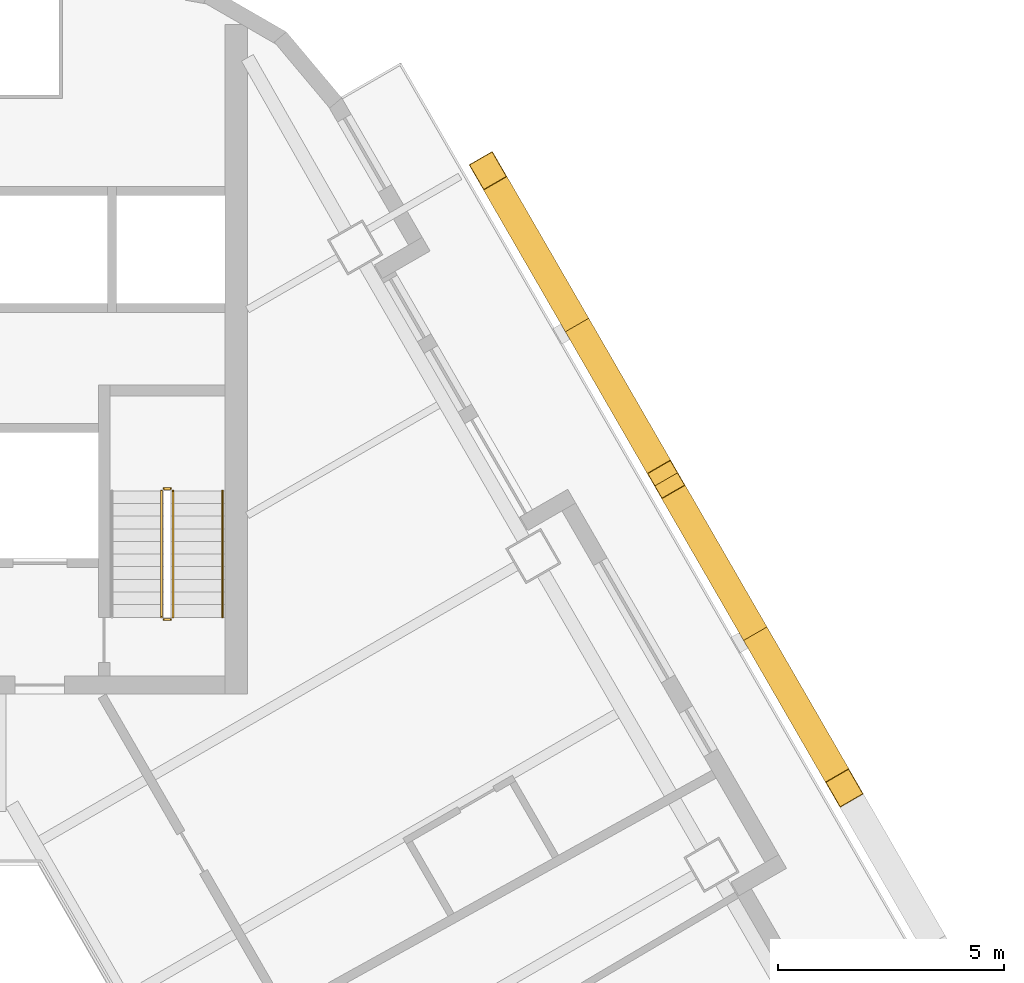
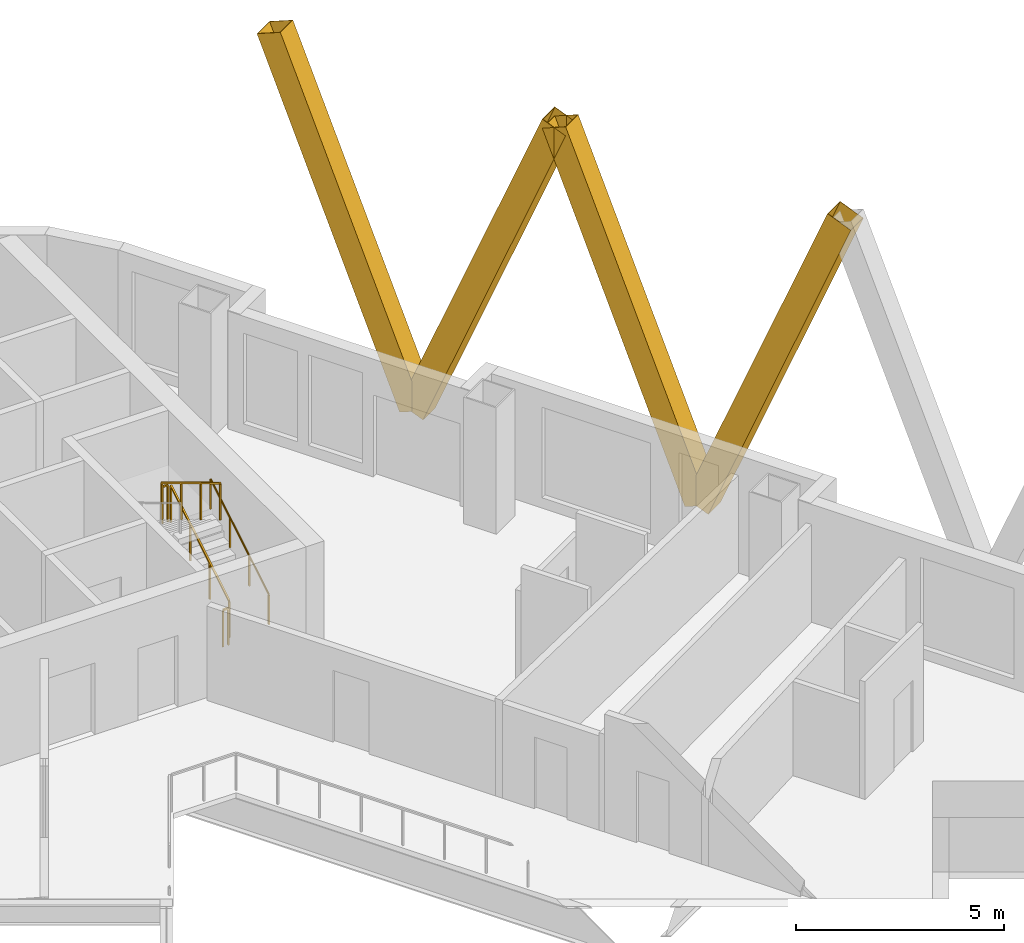
# One storey, part 13 of 13: 5 railings, 4 shading devices.
"""IFC4 building model written with IfcOpenShell, lengths in metres."""

import ifcopenshell
import ifcopenshell.guid

model = None  # the IFC model being written
_history = None  # IfcOwnerHistory: only IFC2X3 demands one
_inside = {}  # id of a spatial element -> (the spatial element, [elements in it])
_under = {}  # id of a project, library or spatial element -> (it, [spatial elements below it])
_declared = {}  # id of a project -> (the project, [libraries it declares])
_typed = {}  # id of a type object -> (the type object, [elements of that type])
_made_of = {}  # id of a material, layer set ... -> (it, [elements and type objects made of it])


def new_model(schema):
    """Start an empty IFC model of exactly this schema.

    Asked for "IFC4X3", IfcOpenShell would pick the latest addendum, in which some entities
    have other attributes; the version numbers below select the first issue.
    IFC2X3 requires an IfcOwnerHistory on every rooted entity: one is made here for all.
    """
    global model, _history
    if schema == "IFC4X3":
        model = ifcopenshell.file(schema_version=(4, 3, 0, 0))
    else:
        model = ifcopenshell.file(schema=schema)
    _inside.clear()
    _under.clear()
    _declared.clear()
    _typed.clear()
    _made_of.clear()
    _history = None
    if model.schema == "IFC2X3":
        org = make("IfcOrganization", Name="unknown")
        user = make(
            "IfcPersonAndOrganization",
            ThePerson=make("IfcPerson", FamilyName="unknown"),
            TheOrganization=org,
        )
        app = make(
            "IfcApplication",
            ApplicationDeveloper=org,
            Version="unknown",
            ApplicationFullName="unknown",
            ApplicationIdentifier="unknown",
        )
        _history = make(
            "IfcOwnerHistory",
            OwningUser=user,
            OwningApplication=app,
            ChangeAction="ADDED",
            CreationDate=0,
        )
    return model


def make(cls, **values):
    """One entity of the class cls with the attributes given. An attribute that is None is left unset."""
    return model.create_entity(
        cls, **{name: value for name, value in values.items() if value is not None}
    )


def rooted(cls, **values):
    """An entity with a GlobalId (a new one), such as an element, a storey or a relation."""
    return make(cls, GlobalId=ifcopenshell.guid.new(), OwnerHistory=_history, **values)


def si_unit(unit_type, name, prefix=None):
    """IfcSIUnit, for example si_unit("LENGTHUNIT", "METRE", prefix="MILLI")."""
    return make("IfcSIUnit", UnitType=unit_type, Prefix=prefix, Name=name)


def assignment(units):
    """IfcUnitAssignment: the units of a project."""
    return None if units is None else make("IfcUnitAssignment", Units=units)


def point(xyz):
    """IfcCartesianPoint."""
    return None if xyz is None else make("IfcCartesianPoint", Coordinates=xyz)


def direction(xyz):
    """IfcDirection."""
    return None if xyz is None else make("IfcDirection", DirectionRatios=xyz)


def frame(location, z_axis=None, x_axis=None):
    """IfcAxis2Placement3D, a coordinate frame: its origin and axes. An axis left out is left unset."""
    return make(
        "IfcAxis2Placement3D",
        Location=point(location),
        Axis=direction(z_axis),
        RefDirection=direction(x_axis),
    )


def frame_2d(location, x_axis=None):
    """IfcAxis2Placement2D, a coordinate frame in the plane: its origin and x axis."""
    return make(
        "IfcAxis2Placement2D", Location=point(location), RefDirection=direction(x_axis)
    )


def origin():
    """The frame at (0, 0, 0) with its axes left unset."""
    return frame((0.0, 0.0, 0.0))


def origin_2d():
    """The frame at (0, 0) in the plane with its x axis left unset."""
    return frame_2d((0.0, 0.0))


def place(relative_to, where):
    """IfcLocalPlacement: puts the frame where relative to a parent placement (None: the world)."""
    return make(
        "IfcLocalPlacement", PlacementRelTo=relative_to, RelativePlacement=where
    )


def context(
    kind, dimensions, precision=None, world=None, true_north=None, identifier=None
):
    """IfcGeometricRepresentationContext, for example the 3D "Model" context."""
    return make(
        "IfcGeometricRepresentationContext",
        ContextIdentifier=identifier,
        ContextType=kind,
        CoordinateSpaceDimension=dimensions,
        Precision=precision,
        WorldCoordinateSystem=world,
        TrueNorth=true_north,
    )


def subcontext(parent, identifier, kind, view, scale=None):
    """IfcGeometricRepresentationSubContext, for example "Body" below "Model"."""
    return make(
        "IfcGeometricRepresentationSubContext",
        ContextIdentifier=identifier,
        ContextType=kind,
        ParentContext=parent,
        TargetScale=scale,
        TargetView=view,
    )


def project(units=None, contexts=None):
    """IfcProject with its units and contexts."""
    return rooted(
        "IfcProject",
        Name="project",
        RepresentationContexts=contexts,
        UnitsInContext=assignment(units),
    )


def spatial(cls, under=None, at=None, **own):
    """A site, building, storey or space (cls), placed at a placement, below another one or the project."""
    s = rooted(cls, ObjectPlacement=at, **own)
    if under is not None:
        _under.setdefault(under.id(), (under, []))[1].append(s)
    return s


def profile(cls, at=None, kind="AREA", **sizes):
    """A parametric profile (cls). Its sizes go by their IFC names, for example OverallWidth=200.0."""
    return make(cls, ProfileType=kind, Position=at, **sizes)


def rectangle(**sizes):
    """IfcRectangleProfileDef."""
    return profile("IfcRectangleProfileDef", **sizes)


def hollow_rectangle(**sizes):
    """IfcRectangleHollowProfileDef."""
    return profile("IfcRectangleHollowProfileDef", **sizes)


def circle(**sizes):
    """IfcCircleProfileDef."""
    return profile("IfcCircleProfileDef", **sizes)


def extrude(swept, where, along, depth):
    """IfcExtrudedAreaSolid: the profile swept, set in the frame where, extruded along a direction by depth."""
    return make(
        "IfcExtrudedAreaSolid",
        SweptArea=swept,
        Position=where,
        ExtrudedDirection=direction(along),
        Depth=depth,
    )


def shape(context_of_items, identifier, shape_type, items):
    """IfcShapeRepresentation: the items that make up one representation, for example the "Body"."""
    return make(
        "IfcShapeRepresentation",
        ContextOfItems=context_of_items,
        RepresentationIdentifier=identifier,
        RepresentationType=shape_type,
        Items=items,
    )


def material(Name=None, Category=None):
    """IfcMaterial."""
    return make("IfcMaterial", Name=Name, Category=Category)


def material_profile(
    of_material, cross_section, Name=None, Category=None, Priority=None
):
    """IfcMaterialProfile: a cross section and its material."""
    return make(
        "IfcMaterialProfile",
        Name=Name,
        Material=of_material,
        Profile=cross_section,
        Priority=Priority,
        Category=Category,
    )


def profile_set(profiles, Name=None, composite=None):
    """IfcMaterialProfileSet."""
    return make(
        "IfcMaterialProfileSet",
        Name=Name,
        MaterialProfiles=profiles,
        CompositeProfile=composite,
    )


def made_of(thing, what):
    """Note that an element or type object is made of a material, layer set ...; save() writes the relation."""
    if what is not None:
        _made_of.setdefault(what.id(), (what, []))[1].append(thing)
    return thing


def type_object(cls, material=None, **own):
    """A type object (cls), such as IfcWallType, which elements share."""
    return made_of(rooted(cls, **own), material)


def element(
    cls,
    number,
    at=None,
    inside=None,
    cuts=None,
    type_object=None,
    material=None,
    context=None,
    identifier="Body",
    shape_type=None,
    held_by="IfcProductDefinitionShape",
    body=None,
    shapes=None,
    **own,
):
    """One element of the class cls, such as IfcWall. Its Tag is "e" and its number.

    at: its placement. inside: the storey or other place that contains it. cuts: it is an
    opening in that element (IfcRelVoidsElement). A single representation is given by context,
    identifier, shape_type and body (its items); several are given by shapes. held_by: the class
    of the entity that holds the representations. save() writes the other relations.
    """
    e = rooted(cls, Tag="e%d" % number, ObjectPlacement=at, **own)
    if body is not None:
        shapes = [shape(context, identifier, shape_type, body)]
    if shapes is not None:
        e.Representation = make(held_by, Representations=shapes)
    if inside is not None:
        _inside.setdefault(inside.id(), (inside, []))[1].append(e)
    if cuts is not None:
        rooted(
            "IfcRelVoidsElement", RelatingBuildingElement=cuts, RelatedOpeningElement=e
        )
    if type_object is not None:
        _typed.setdefault(type_object.id(), (type_object, []))[1].append(e)
    return made_of(e, material)


def aggregate(whole, parts):
    """IfcRelAggregates: a whole, such as a stair, and the parts it consists of."""
    return rooted("IfcRelAggregates", RelatingObject=whole, RelatedObjects=parts)


def save(model, path):
    """Write the relations noted so far, then the file.

    IfcRelAggregates (storeys below a building ...), IfcRelContainedInSpatialStructure (elements
    in a storey), IfcRelDefinesByType, IfcRelAssociatesMaterial and IfcRelDeclares: one each for
    every whole, place, type object, material and project.
    """
    for whole, parts in _under.values():
        aggregate(whole, parts)
    for where, things in _inside.values():
        rooted(
            "IfcRelContainedInSpatialStructure",
            RelatedElements=things,
            RelatingStructure=where,
        )
    for kind, things in _typed.values():
        rooted("IfcRelDefinesByType", RelatedObjects=things, RelatingType=kind)
    for what, things in _made_of.values():
        rooted("IfcRelAssociatesMaterial", RelatedObjects=things, RelatingMaterial=what)
    for by, libraries in _declared.values():
        rooted("IfcRelDeclares", RelatingContext=by, RelatedDefinitions=libraries)
    model.write(path)


model = new_model("IFC4")

# Units and contexts
model_context = context("Model", 3, precision=1e-05, world=origin(), true_north=direction((0.0, 1.0)))
body_context = subcontext(model_context, "Body", "Model", "MODEL_VIEW")
ifc_project = project(units=[si_unit("LENGTHUNIT", "METRE"), si_unit("AREAUNIT", "SQUARE_METRE"), si_unit("VOLUMEUNIT", "CUBIC_METRE"), si_unit("PLANEANGLEUNIT", "RADIAN"), si_unit("MASSUNIT", "GRAM", prefix="KILO")], contexts=[model_context])

# Site, building, storey
site_placement = place(None, origin())
site = spatial("IfcSite", under=ifc_project, at=site_placement, CompositionType="ELEMENT")
building_placement = place(site_placement, origin())
building = spatial("IfcBuilding", under=site, at=building_placement, Name="Apuvela Tower Hotel", CompositionType="ELEMENT")
storey_placement = place(building_placement, frame((0.0, 0.0, 127.89990234375)))
storey = spatial("IfcBuildingStorey", under=building, at=storey_placement, Name="L30", CompositionType="ELEMENT", Elevation=127.89990234375)

# Railings
ifc_material_1 = material(Name="Steel S275 balustrade", Category="steel")
railing_type_1 = type_object("IfcRailingType", Name="COR-GUARD-1100", PredefinedType="GUARDRAIL", material=ifc_material_1)
railing_1_placement = place(storey_placement, frame((3.85009765625, 14.60009765625, 0.168212890625)))
element("IfcRailing", 1, at=railing_1_placement, inside=storey, type_object=railing_type_1, Name="L30 ST1 stair guard 1", PredefinedType="GUARDRAIL", context=body_context, shape_type="SweptSolid", body=[
    extrude(rectangle(XDim=0.048095703125, YDim=0.048095703125, at=origin_2d()), frame((0.0, 0.0, 1.076171875), z_axis=(0.0, 0.857222391501, 0.514946377315), x_axis=(-1.0, 0.0, 0.0)), (0.0, 0.0, 1.0), 3.26611328125),
    extrude(rectangle(XDim=0.0419921875, YDim=0.0419921875, at=origin_2d()), origin(), (0.0, 0.0, 1.0), 1.052001953125),
    extrude(rectangle(XDim=0.0419921875, YDim=0.0419921875, at=origin_2d()), frame((0.0, 0.933349609375, 0.560546875)), (0.0, 0.0, 1.0), 1.052001953125),
    extrude(rectangle(XDim=0.0419921875, YDim=0.0419921875, at=origin_2d()), frame((0.0, 1.866455078125, 1.121337890625)), (0.0, 0.0, 1.0), 1.052001953125),
    extrude(rectangle(XDim=0.0419921875, YDim=0.0419921875, at=origin_2d()), frame((0.0, 2.7998046875, 1.681884765625)), (0.0, 0.0, 1.0), 1.052001953125),
])
railing_2_placement = place(storey_placement, frame((3.800048828125, 17.449951171875, 1.85009765625)))
element("IfcRailing", 2, at=railing_2_placement, inside=storey, type_object=railing_type_1, Name="L30 ST1 stair guard 2", PredefinedType="GUARDRAIL", context=body_context, shape_type="SweptSolid", body=[
    extrude(rectangle(XDim=0.048095703125, YDim=0.048095703125, at=origin_2d()), frame((0.0, 0.0, 1.076171875), z_axis=(-1.0, 0.0, 0.0), x_axis=(0.0, -1.0, 0.0)), (0.0, 0.0, 1.0), 0.150146484375),
    extrude(rectangle(XDim=0.0419921875, YDim=0.0419921875, at=origin_2d()), origin(), (0.0, 0.0, 1.0), 1.052001953125),
    extrude(rectangle(XDim=0.0419921875, YDim=0.0419921875, at=origin_2d()), frame((-0.150146484375, 0.0, 0.0)), (0.0, 0.0, 1.0), 1.052001953125),
])
railing_3_placement = place(storey_placement, frame((3.60009765625, 17.39990234375, 2.018310546875)))
element("IfcRailing", 3, at=railing_3_placement, inside=storey, type_object=railing_type_1, Name="L30 ST1 stair guard 3", PredefinedType="GUARDRAIL", context=body_context, shape_type="SweptSolid", body=[
    extrude(rectangle(XDim=0.048095703125, YDim=0.048095703125, at=origin_2d()), frame((0.0, 0.0, 1.076171875), z_axis=(0.0, -0.857222391501, 0.514946377315), x_axis=(1.0, 0.0, 0.0)), (0.0, 0.0, 1.0), 3.26611328125),
    extrude(rectangle(XDim=0.0419921875, YDim=0.0419921875, at=origin_2d()), origin(), (0.0, 0.0, 1.0), 1.052001953125),
    extrude(rectangle(XDim=0.0419921875, YDim=0.0419921875, at=origin_2d()), frame((0.0, -0.933349609375, 0.560546875)), (0.0, 0.0, 1.0), 1.052001953125),
    extrude(rectangle(XDim=0.0419921875, YDim=0.0419921875, at=origin_2d()), frame((0.0, -1.866455078125, 1.121337890625)), (0.0, 0.0, 1.0), 1.052001953125),
    extrude(rectangle(XDim=0.0419921875, YDim=0.0419921875, at=origin_2d()), frame((0.0, -2.7998046875, 1.681884765625)), (0.0, 0.0, 1.0), 1.052001953125),
])
railing_4_placement = place(storey_placement, frame((3.800048828125, 14.550048828125, 0.0)))
element("IfcRailing", 4, at=railing_4_placement, inside=storey, type_object=railing_type_1, Name="L30 ST1 stair guard 4", PredefinedType="GUARDRAIL", context=body_context, shape_type="SweptSolid", body=[
    extrude(rectangle(XDim=0.048095703125, YDim=0.048095703125, at=origin_2d()), frame((0.0, 0.0, 1.076171875), z_axis=(-1.0, 0.0, 0.0), x_axis=(0.0, -1.0, 0.0)), (0.0, 0.0, 1.0), 0.150146484375),
    extrude(rectangle(XDim=0.0419921875, YDim=0.0419921875, at=origin_2d()), origin(), (0.0, 0.0, 1.0), 1.052001953125),
    extrude(rectangle(XDim=0.0419921875, YDim=0.0419921875, at=origin_2d()), frame((-0.150146484375, 0.0, 0.0)), (0.0, 0.0, 1.0), 1.052001953125),
])
ifc_material_2 = material(Name="Stainless steel 316 handrail", Category="steel")
railing_type_2 = type_object("IfcRailingType", Name="COR-HANDRAIL-900", PredefinedType="HANDRAIL", material=ifc_material_2)
railing_5_placement = place(storey_placement, frame((4.949951171875, 14.60009765625, 0.168212890625)))
element("IfcRailing", 5, at=railing_5_placement, inside=storey, type_object=railing_type_2, Name="L30 ST1 stair handrail 1", PredefinedType="HANDRAIL", context=body_context, shape_type="SweptSolid", body=[
    extrude(circle(Radius=0.02392578125, at=origin_2d()), frame((0.0, 0.0, 0.8759765625), z_axis=(0.0, 0.857222391501, 0.514946377315), x_axis=(-1.0, 0.0, 0.0)), (0.0, 0.0, 1.0), 3.26611328125),
    extrude(rectangle(XDim=0.0419921875, YDim=0.0419921875, at=origin_2d()), origin(), (0.0, 0.0, 1.0), 0.851806640625),
    extrude(rectangle(XDim=0.0419921875, YDim=0.0419921875, at=origin_2d()), frame((0.0, 0.933349609375, 0.560546875)), (0.0, 0.0, 1.0), 0.851806640625),
    extrude(rectangle(XDim=0.0419921875, YDim=0.0419921875, at=origin_2d()), frame((0.0, 1.866455078125, 1.121337890625)), (0.0, 0.0, 1.0), 0.851806640625),
    extrude(rectangle(XDim=0.0419921875, YDim=0.0419921875, at=origin_2d()), frame((0.0, 2.7998046875, 1.681884765625)), (0.0, 0.0, 1.0), 0.851806640625),
])

# Shading devices
ifc_material_3 = material(Name="Aluminium 6063-T6, black anodised", Category="aluminium")
ifc_material_profile = material_profile(ifc_material_3, hollow_rectangle(XDim=0.60009765625, YDim=0.699951171875, WallThickness=0.011962890625, at=origin_2d()), Name="AL BOX 700x600x12")
ifc_profile_set = profile_set([ifc_material_profile], Name="Aluminium 6063-T6, black anodised")
shading_device_type = type_object("IfcShadingDeviceType", Name="ENV-FIN-700x600", PredefinedType="USERDEFINED", material=ifc_profile_set)
for number, where, z_axis, x_axis, name in (
    (6, (16.757080078125, 14.23583984375, -0.099853515625), (0.188581848909, -0.32662655957, 0.926149003587), (0.866020906874, 0.500007788796, 0.0), "Lattice fin NE237"),
    (7, (16.757080078125, 14.23583984375, -0.099853515625), (-0.188583284704, 0.326605735721, 0.926156054952), (-0.866005453737, -0.500034552904, 0.0), "Lattice fin NE238"),
    (8, (12.80712890625, 21.077392578125, -0.099853515625), (0.188559367267, -0.32662799532, 0.926153074653), (0.866047669374, 0.499961432884, 0.0), "Lattice fin NE239"),
    (9, (12.80712890625, 21.077392578125, -0.099853515625), (-0.188581848909, 0.32662655957, 0.926149003587), (-0.866020906874, -0.500007788796, 0.0), "Lattice fin NE240"),
):
    element("IfcShadingDevice", number, at=place(storey_placement, frame(where, z_axis=z_axis, x_axis=x_axis)), inside=storey, type_object=shading_device_type, Name=name, ObjectType="FIN", PredefinedType="USERDEFINED", context=body_context, shape_type="SweptSolid", body=[
        extrude(hollow_rectangle(XDim=0.60009765625, YDim=0.699951171875, WallThickness=0.011962890625, at=origin_2d()), origin(), (0.0, 0.0, 1.0), 10.473388671875),
    ])

save(model, "model.ifc")
